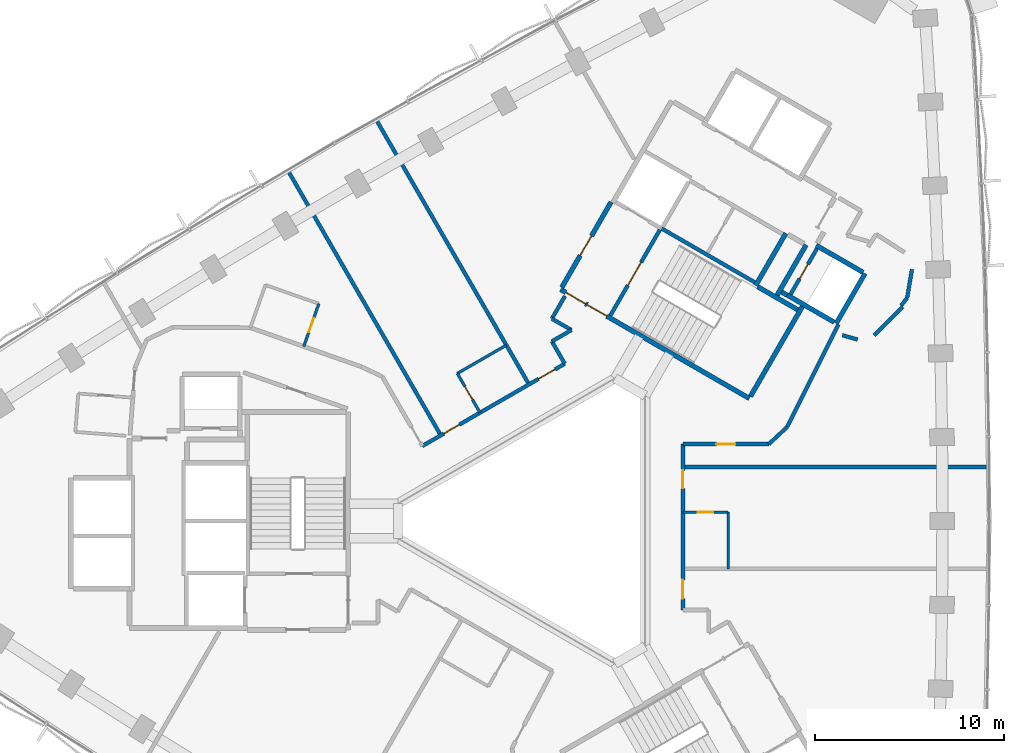
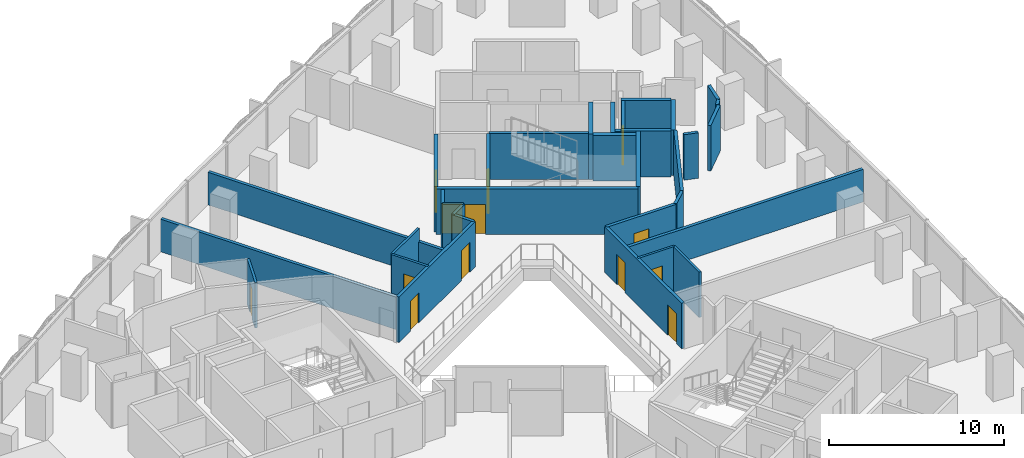
# One storey, part 10 of 15: 34 walls, 13 doors, 13 openings.
"""IFC4 building model written with IfcOpenShell, lengths in metres."""

from ifc_helpers import new_model, si_unit, direction, frame, frame_2d, origin, place, context, subcontext, project, spatial, rectangle, extrude, material, layer, layer_set, type_object, element, fill, save


model = new_model("IFC4")

# Units and contexts
model_context = context("Model", 3, precision=1e-05, world=origin(), true_north=direction((0.0, 1.0)))
body_context = subcontext(model_context, "Body", "Model", "MODEL_VIEW")
ifc_project = project(units=[si_unit("LENGTHUNIT", "METRE"), si_unit("AREAUNIT", "SQUARE_METRE"), si_unit("VOLUMEUNIT", "CUBIC_METRE"), si_unit("PLANEANGLEUNIT", "RADIAN"), si_unit("MASSUNIT", "GRAM", prefix="KILO")], contexts=[model_context])

# Site, building, storey
site_placement = place(None, origin())
site = spatial("IfcSite", under=ifc_project, at=site_placement, CompositionType="ELEMENT")
building_placement = place(site_placement, origin())
building = spatial("IfcBuilding", under=site, at=building_placement, Name="Tamra Quay Hotel Tower", CompositionType="ELEMENT")
storey_placement = place(building_placement, frame((0.0, 0.0, 97.39990234375)))
storey = spatial("IfcBuildingStorey", under=building, at=storey_placement, Name="L23", CompositionType="ELEMENT", Elevation=97.39990234375)

# Wall
ifc_material_1 = material(Name="Concrete M70", Category="concrete")
ifc_layer_1 = layer(ifc_material_1, 0.199951171875)
ifc_layer_set_1 = layer_set([ifc_layer_1], Name="Concrete M70 core wall 200")
wall_type_1 = type_object("IfcWallType", Name="Concrete M70 core wall 200", PredefinedType="SHEAR", material=ifc_layer_set_1)
wall_1_placement = place(storey_placement, frame((5.774658203125, 15.501953125, 0.0), z_axis=(0.0, 0.0, 1.0), x_axis=(0.866020080793, -0.500009219579, 0.0)))
element("IfcWall", 1, at=wall_1_placement, inside=storey, type_object=wall_type_1, Name="CW2", PredefinedType="SHEAR", context=body_context, shape_type="SweptSolid", body=[
    extrude(rectangle(XDim=5.69921875, YDim=0.199951171875, at=frame_2d((2.849609375, 0.0))), origin(), (0.0, 0.0, 1.0), 3.175048828125),
])

# Wall, opening, door
wall_2_placement = place(storey_placement, frame((3.056640625, 10.89453125, 0.0), z_axis=(0.0, 0.0, 1.0), x_axis=(0.499989418164, 0.866031513124, 0.0)))
wall_2 = element("IfcWall", 2, at=wall_2_placement, inside=storey, type_object=wall_type_1, Name="CW2", PredefinedType="SHEAR", context=body_context, shape_type="SweptSolid", body=[
    extrude(rectangle(XDim=5.2509765625, YDim=0.199951171875, at=frame_2d((2.62548828125, 0.0))), origin(), (0.0, 0.0, 1.0), 3.175048828125),
])
opening_1_placement = place(wall_2_placement, frame((1.84912109375, 0.0, 0.0)))
opening_1 = element("IfcOpeningElement", 3, at=opening_1_placement, cuts=wall_2, Name="Opening FD2", PredefinedType="OPENING", context=body_context, shape_type="SweptSolid", body=[
    extrude(rectangle(XDim=1.39990234375, YDim=2.10009765625, at=frame_2d((0.699951171875, 1.050048828125))), frame((0.0, 0.10986328125, 0.0), z_axis=(0.0, -1.0, 0.0), x_axis=(1.0, 0.0, 0.0)), (0.0, 0.0, 1.0), 0.219970703125),
])
ifc_material_2 = material(Name="Core door FD2 1400x2100 RH")
door_type_1 = type_object("IfcDoorType", Name="Core door FD2 1400x2100 RH", OperationType="NOTDEFINED", PredefinedType="DOOR", material=ifc_material_2)
door_1_placement = place(opening_1_placement, origin())
door_1 = element("IfcDoor", 4, at=door_1_placement, inside=storey, type_object=door_type_1, Name="FD2", OperationType="SINGLE_SWING_RIGHT", OverallHeight=2.10009765625, OverallWidth=1.39990234375, PredefinedType="DOOR", context=body_context, shape_type="SweptSolid", body=[
    extrude(rectangle(XDim=1.39990234375, YDim=2.10009765625, at=frame_2d((0.699951171875, 1.050048828125))), frame((0.0, 0.02490234375, 0.0), z_axis=(0.0, -1.0, 0.0), x_axis=(1.0, 0.0, 0.0)), (0.0, 0.0, 1.0), 0.050048828125),
])
fill(opening_1, door_1)

wall_3_placement = place(storey_placement, frame((14.0078125, 14.442138671875, 0.0), z_axis=(0.0, 0.0, 1.0), x_axis=(-0.499986818241, -0.866033014143, 0.0)))
wall_3 = element("IfcWall", 5, at=wall_3_placement, inside=storey, type_object=wall_type_1, Name="CW2", PredefinedType="SHEAR", context=body_context, shape_type="SweptSolid", body=[
    extrude(rectangle(XDim=2.7978515625, YDim=0.199951171875, at=frame_2d((1.39892578125, 0.0))), origin(), (0.0, 0.0, 1.0), 3.175048828125),
])
opening_2_placement = place(wall_3_placement, frame((0.948974609375, 0.0, 0.0)))
opening_2 = element("IfcOpeningElement", 6, at=opening_2_placement, cuts=wall_3, Name="Opening D1", PredefinedType="OPENING", context=body_context, shape_type="SweptSolid", body=[
    extrude(rectangle(XDim=0.89990234375, YDim=2.10009765625, at=frame_2d((0.449951171875, 1.050048828125))), frame((0.0, 0.10986328125, 0.0), z_axis=(0.0, -1.0, 0.0), x_axis=(1.0, 0.0, 0.0)), (0.0, 0.0, 1.0), 0.219970703125),
])
ifc_material_3 = material(Name="Core door D1 900x2100 RH")
door_type_2 = type_object("IfcDoorType", Name="Core door D1 900x2100 RH", OperationType="NOTDEFINED", PredefinedType="DOOR", material=ifc_material_3)
door_2_placement = place(opening_2_placement, origin())
door_2 = element("IfcDoor", 7, at=door_2_placement, inside=storey, type_object=door_type_2, Name="D1", OperationType="SINGLE_SWING_RIGHT", OverallHeight=2.10009765625, OverallWidth=0.89990234375, PredefinedType="DOOR", context=body_context, shape_type="SweptSolid", body=[
    extrude(rectangle(XDim=0.89990234375, YDim=2.10009765625, at=frame_2d((0.449951171875, 1.050048828125))), frame((0.0, 0.02490234375, 0.0), z_axis=(0.0, -1.0, 0.0), x_axis=(1.0, 0.0, 0.0)), (0.0, 0.0, 1.0), 0.050048828125),
])
fill(opening_2, door_2)

# Wall, openings, doors
ifc_layer_2 = layer(ifc_material_1, 0.25)
ifc_layer_set_2 = layer_set([ifc_layer_2], Name="Concrete M70 core wall 250")
wall_type_2 = type_object("IfcWallType", Name="Concrete M70 core wall 250", PredefinedType="SHEAR", material=ifc_layer_set_2)
wall_4_placement = place(storey_placement, frame((10.419921875, 6.497802734375, 0.0), z_axis=(0.0, 0.0, 1.0), x_axis=(-0.866021906294, 0.500006057782, 0.0)))
wall_4 = element("IfcWall", 8, at=wall_4_placement, inside=storey, type_object=wall_type_2, Name="CW1", PredefinedType="SHEAR", context=body_context, shape_type="SweptSolid", body=[
    extrude(rectangle(XDim=11.550048828125, YDim=0.25, at=frame_2d((5.77490234375, 0.0))), origin(), (0.0, 0.0, 1.0), 3.175048828125),
])
opening_3_placement = place(wall_4_placement, frame((10.02490234375, 0.0, 0.0)))
opening_3 = element("IfcOpeningElement", 9, at=opening_3_placement, cuts=wall_4, Name="Opening FD1", PredefinedType="OPENING", context=body_context, shape_type="SweptSolid", body=[
    extrude(rectangle(XDim=1.199951171875, YDim=2.10009765625, at=frame_2d((0.60009765625, 1.050048828125))), frame((0.0, 0.135009765625, 0.0), z_axis=(0.0, -1.0, 0.0), x_axis=(1.0, 0.0, 0.0)), (0.0, 0.0, 1.0), 0.27001953125),
])
opening_4_placement = place(wall_4_placement, frame((8.724853515625, 0.0, 0.0)))
opening_4 = element("IfcOpeningElement", 10, at=opening_4_placement, cuts=wall_4, Name="Opening FD1", PredefinedType="OPENING", context=body_context, shape_type="SweptSolid", body=[
    extrude(rectangle(XDim=1.199951171875, YDim=2.10009765625, at=frame_2d((0.60009765625, 1.050048828125))), frame((0.0, 0.135009765625, 0.0), z_axis=(0.0, -1.0, 0.0), x_axis=(1.0, 0.0, 0.0)), (0.0, 0.0, 1.0), 0.27001953125),
])
ifc_material_4 = material(Name="Core door FD1 1200x2100 LH")
door_type_3 = type_object("IfcDoorType", Name="Core door FD1 1200x2100 LH", OperationType="NOTDEFINED", PredefinedType="DOOR", material=ifc_material_4)
door_3_placement = place(opening_3_placement, origin())
door_3 = element("IfcDoor", 11, at=door_3_placement, inside=storey, type_object=door_type_3, Name="FD1", OperationType="SINGLE_SWING_LEFT", OverallHeight=2.10009765625, OverallWidth=1.199951171875, PredefinedType="DOOR", context=body_context, shape_type="SweptSolid", body=[
    extrude(rectangle(XDim=1.199951171875, YDim=2.10009765625, at=frame_2d((0.60009765625, 1.050048828125))), frame((0.0, 0.02490234375, 0.0), z_axis=(0.0, -1.0, 0.0), x_axis=(1.0, 0.0, 0.0)), (0.0, 0.0, 1.0), 0.050048828125),
])
fill(opening_3, door_3)
ifc_material_5 = material(Name="Core door FD1 1200x2100 RH")
door_type_4 = type_object("IfcDoorType", Name="Core door FD1 1200x2100 RH", OperationType="NOTDEFINED", PredefinedType="DOOR", material=ifc_material_5)
door_4_placement = place(opening_4_placement, origin())
door_4 = element("IfcDoor", 12, at=door_4_placement, inside=storey, type_object=door_type_4, Name="FD1", OperationType="SINGLE_SWING_RIGHT", OverallHeight=2.10009765625, OverallWidth=1.199951171875, PredefinedType="DOOR", context=body_context, shape_type="SweptSolid", body=[
    extrude(rectangle(XDim=1.199951171875, YDim=2.10009765625, at=frame_2d((0.60009765625, 1.050048828125))), frame((0.0, 0.02490234375, 0.0), z_axis=(0.0, -1.0, 0.0), x_axis=(1.0, 0.0, 0.0)), (0.0, 0.0, 1.0), 0.050048828125),
])
fill(opening_4, door_4)

# Wall, opening, door
wall_5_placement = place(storey_placement, frame((0.47998046875, 12.38134765625, 0.0), z_axis=(0.0, 0.0, 1.0), x_axis=(0.49999885962, 0.866026062182, 0.0)))
wall_5 = element("IfcWall", 13, at=wall_5_placement, inside=storey, type_object=wall_type_2, Name="CW1", PredefinedType="SHEAR", context=body_context, shape_type="SweptSolid", body=[
    extrude(rectangle(XDim=5.224609375, YDim=0.25, at=frame_2d((2.6123046875, 0.0))), origin(), (0.0, 0.0, 1.0), 3.175048828125),
])
opening_5_placement = place(wall_5_placement, frame((1.94970703125, 0.0, 0.0)))
opening_5 = element("IfcOpeningElement", 14, at=opening_5_placement, cuts=wall_5, Name="Opening D2", PredefinedType="OPENING", context=body_context, shape_type="SweptSolid", body=[
    extrude(rectangle(XDim=1.199951171875, YDim=2.10009765625, at=frame_2d((0.60009765625, 1.050048828125))), frame((0.0, 0.135009765625, 0.0), z_axis=(0.0, -1.0, 0.0), x_axis=(1.0, 0.0, 0.0)), (0.0, 0.0, 1.0), 0.27001953125),
])
ifc_material_6 = material(Name="Core door D2 1200x2100 LH")
door_type_5 = type_object("IfcDoorType", Name="Core door D2 1200x2100 LH", OperationType="NOTDEFINED", PredefinedType="DOOR", material=ifc_material_6)
door_5_placement = place(opening_5_placement, origin())
door_5 = element("IfcDoor", 15, at=door_5_placement, inside=storey, type_object=door_type_5, Name="D2", OperationType="SINGLE_SWING_LEFT", OverallHeight=2.10009765625, OverallWidth=1.199951171875, PredefinedType="DOOR", context=body_context, shape_type="SweptSolid", body=[
    extrude(rectangle(XDim=1.199951171875, YDim=2.10009765625, at=frame_2d((0.60009765625, 1.050048828125))), frame((0.0, 0.02490234375, 0.0), z_axis=(0.0, -1.0, 0.0), x_axis=(1.0, 0.0, 0.0)), (0.0, 0.0, 1.0), 0.050048828125),
])
fill(opening_5, door_5)

# Walls
wall_6_placement = place(storey_placement, frame((13.237548828125, 11.3779296875, 0.0), z_axis=(0.0, 0.0, 1.0), x_axis=(-0.500008851346, -0.866020293397, 0.0)))
element("IfcWall", 16, at=wall_6_placement, inside=storey, type_object=wall_type_2, Name="CW1", PredefinedType="SHEAR", context=body_context, shape_type="SweptSolid", body=[
    extrude(rectangle(XDim=5.509765625, YDim=0.25, at=frame_2d((2.7548828125, 0.0))), origin(), (0.0, 0.0, 1.0), 3.175048828125),
])
wall_7_placement = place(storey_placement, frame((12.356689453125, 15.25244140625, 0.0), z_axis=(0.0, 0.0, 1.0), x_axis=(-0.500028443584, -0.866008981251, 0.0)))
element("IfcWall", 17, at=wall_7_placement, inside=storey, type_object=wall_type_2, Name="CW1", PredefinedType="SHEAR", context=body_context, shape_type="SweptSolid", body=[
    extrude(rectangle(XDim=3.199951171875, YDim=0.25, at=frame_2d((1.60009765625, 0.0))), origin(), (0.0, 0.0, 1.0), 3.175048828125),
])
wall_8_placement = place(storey_placement, frame((16.552001953125, 13.118896484375, 0.0), z_axis=(0.0, 0.0, 1.0), x_axis=(-0.499978833458, -0.866037623948, 0.0)))
element("IfcWall", 18, at=wall_8_placement, inside=storey, type_object=wall_type_2, Name="CW1", PredefinedType="SHEAR", context=body_context, shape_type="SweptSolid", body=[
    extrude(rectangle(XDim=3.050048828125, YDim=0.25, at=frame_2d((1.52490234375, 0.0))), origin(), (0.0, 0.0, 1.0), 3.175048828125),
])
wall_9_placement = place(storey_placement, frame((14.91845703125, 10.540283203125, 0.0), z_axis=(0.0, 0.0, 1.0), x_axis=(-0.866063538972, 0.499933942099, 0.0)))
element("IfcWall", 19, at=wall_9_placement, inside=storey, type_object=wall_type_2, Name="CW1", PredefinedType="SHEAR", context=body_context, shape_type="SweptSolid", body=[
    extrude(rectangle(XDim=2.86474609375, YDim=0.25, at=frame_2d((1.432373046875, 0.0))), origin(), (0.0, 0.0, 1.0), 3.175048828125),
])
wall_10_placement = place(storey_placement, frame((13.962646484375, 14.61376953125, 0.0), z_axis=(0.0, 0.0, 1.0), x_axis=(0.866042235819, -0.499970844928, 0.0)))
element("IfcWall", 20, at=wall_10_placement, inside=storey, type_object=wall_type_2, Name="CW1", PredefinedType="SHEAR", context=body_context, shape_type="SweptSolid", body=[
    extrude(rectangle(XDim=2.864501953125, YDim=0.25, at=frame_2d((1.43212890625, 0.0))), origin(), (0.0, 0.0, 1.0), 3.175048828125),
])
wall_11_placement = place(storey_placement, frame((11.887939453125, 11.960693359375, 0.0), z_axis=(0.0, 0.0, 1.0), x_axis=(0.500003324108, 0.866023484601, 0.0)))
element("IfcWall", 21, at=wall_11_placement, inside=storey, type_object=wall_type_2, Name="CW1", PredefinedType="SHEAR", context=body_context, shape_type="SweptSolid", body=[
    extrude(rectangle(XDim=3.0849609375, YDim=0.25, at=frame_2d((1.54248046875, 0.0))), origin(), (0.0, 0.0, 1.0), 3.175048828125),
])
wall_12_placement = place(storey_placement, frame((10.865234375, 12.41845703125, 0.0), z_axis=(0.0, 0.0, 1.0), x_axis=(0.866026229868, -0.499998569178, 0.0)))
element("IfcWall", 22, at=wall_12_placement, inside=storey, type_object=wall_type_2, Name="CW1", PredefinedType="SHEAR", context=body_context, shape_type="SweptSolid", body=[
    extrude(rectangle(XDim=2.44921875, YDim=0.25, at=frame_2d((1.224609375, 0.0))), origin(), (0.0, 0.0, 1.0), 3.175048828125),
])
wall_13_placement = place(storey_placement, frame((12.4326171875, 11.9638671875, 0.0), z_axis=(0.0, 0.0, 1.0), x_axis=(-0.866055875208, 0.499947218231, 0.0)))
element("IfcWall", 23, at=wall_13_placement, inside=storey, type_object=wall_type_2, Name="CW1", PredefinedType="SHEAR", context=body_context, shape_type="SweptSolid", body=[
    extrude(rectangle(XDim=0.3447265625, YDim=0.25, at=frame_2d((0.17236328125, 0.0))), origin(), (0.0, 0.0, 1.0), 3.175048828125),
])

# Wall, openings, doors
ifc_material_7 = material(Name="Partition corridor wall")
ifc_layer_3 = layer(ifc_material_7, 0.199951171875)
ifc_layer_set_3 = layer_set([ifc_layer_3], Name="Partition corridor wall")
wall_type_3 = type_object("IfcWallType", Name="Partition corridor wall", PredefinedType="PARTITIONING", material=ifc_layer_set_3)
wall_14_placement = place(storey_placement, frame((-6.909912109375, 3.975341796875, 0.0), z_axis=(0.0, 0.0, 1.0), x_axis=(0.865912245405, 0.500195944863, 0.0)))
wall_14 = element("IfcWall", 24, at=wall_14_placement, inside=storey, type_object=wall_type_3, Name="W-C", PredefinedType="PARTITIONING", context=body_context, shape_type="SweptSolid", body=[
    extrude(rectangle(XDim=8.7177734375, YDim=0.199951171875, at=frame_2d((4.35888671875, 0.0))), origin(), (0.0, 0.0, 1.0), 3.175048828125),
])
opening_6_placement = place(wall_14_placement, frame((7.117431640625, 0.0, 0.0)))
opening_6 = element("IfcOpeningElement", 25, at=opening_6_placement, cuts=wall_14, Name="Opening L23-D005", PredefinedType="OPENING", context=body_context, shape_type="SweptSolid", body=[
    extrude(rectangle(XDim=1.0, YDim=2.10009765625, at=frame_2d((0.5, 1.050048828125))), frame((0.0, 0.10986328125, 0.0), z_axis=(0.0, -1.0, 0.0), x_axis=(1.0, 0.0, 0.0)), (0.0, 0.0, 1.0), 0.219970703125),
])
opening_7_placement = place(wall_14_placement, frame((1.31689453125, 0.0, 0.0)))
opening_7 = element("IfcOpeningElement", 26, at=opening_7_placement, cuts=wall_14, Name="Opening L23-D006", PredefinedType="OPENING", context=body_context, shape_type="SweptSolid", body=[
    extrude(rectangle(XDim=0.949951171875, YDim=2.10009765625, at=frame_2d((0.47509765625, 1.050048828125))), frame((0.0, 0.10986328125, 0.0), z_axis=(0.0, -1.0, 0.0), x_axis=(1.0, 0.0, 0.0)), (0.0, 0.0, 1.0), 0.219970703125),
])
ifc_material_8 = material(Name="Door guest room 1000x2100")
door_type_6 = type_object("IfcDoorType", Name="Door guest room 1000x2100", OperationType="NOTDEFINED", PredefinedType="DOOR", material=ifc_material_8)
door_6_placement = place(opening_6_placement, origin())
door_6 = element("IfcDoor", 27, at=door_6_placement, inside=storey, type_object=door_type_6, Name="L23-D005", OperationType="SINGLE_SWING_LEFT", OverallHeight=2.10009765625, OverallWidth=1.0, PredefinedType="DOOR", context=body_context, shape_type="SweptSolid", body=[
    extrude(rectangle(XDim=1.0, YDim=2.10009765625, at=frame_2d((0.5, 1.050048828125))), frame((0.0, 0.02490234375, 0.0), z_axis=(0.0, -1.0, 0.0), x_axis=(1.0, 0.0, 0.0)), (0.0, 0.0, 1.0), 0.050048828125),
])
fill(opening_6, door_6)
ifc_material_9 = material(Name="Door guest room 950x2100")
door_type_7 = type_object("IfcDoorType", Name="Door guest room 950x2100", OperationType="NOTDEFINED", PredefinedType="DOOR", material=ifc_material_9)
door_7_placement = place(opening_7_placement, origin())
door_7 = element("IfcDoor", 28, at=door_7_placement, inside=storey, type_object=door_type_7, Name="L23-D006", OperationType="SINGLE_SWING_LEFT", OverallHeight=2.10009765625, OverallWidth=0.949951171875, PredefinedType="DOOR", context=body_context, shape_type="SweptSolid", body=[
    extrude(rectangle(XDim=0.949951171875, YDim=2.10009765625, at=frame_2d((0.47509765625, 1.050048828125))), frame((0.0, 0.02490234375, 0.0), z_axis=(0.0, -1.0, 0.0), x_axis=(1.0, 0.0, 0.0)), (0.0, 0.0, 1.0), 0.050048828125),
])
fill(opening_7, door_7)

# Walls
wall_15_placement = place(storey_placement, frame((-0.044921875, 9.52099609375, 0.0), z_axis=(0.0, 0.0, 1.0), x_axis=(0.499804837697, -0.866138051476, 0.0)))
element("IfcWall", 29, at=wall_15_placement, inside=storey, type_object=wall_type_3, Name="W-C", PredefinedType="PARTITIONING", context=body_context, shape_type="SweptSolid", body=[
    extrude(rectangle(XDim=1.3681640625, YDim=0.199951171875, at=frame_2d((0.68408203125, 0.0))), origin(), (0.0, 0.0, 1.0), 3.175048828125),
])
wall_16_placement = place(storey_placement, frame((-0.044921875, 9.52197265625, 0.0), z_axis=(0.0, 0.0, 1.0), x_axis=(0.86625675314, 0.499599076899, 0.0)))
element("IfcWall", 30, at=wall_16_placement, inside=storey, type_object=wall_type_3, Name="W-C", PredefinedType="PARTITIONING", context=body_context, shape_type="SweptSolid", body=[
    extrude(rectangle(XDim=1.19921875, YDim=0.199951171875, at=frame_2d((0.599609375, 0.0))), origin(), (0.0, 0.0, 1.0), 3.175048828125),
])
wall_17_placement = place(storey_placement, frame((-0.044921875, 10.721923828125, 0.0), z_axis=(0.0, 0.0, 1.0), x_axis=(0.500107785535, 0.865963164833, 0.0)))
element("IfcWall", 31, at=wall_17_placement, inside=storey, type_object=wall_type_3, Name="W-C", PredefinedType="PARTITIONING", context=body_context, shape_type="SweptSolid", body=[
    extrude(rectangle(XDim=1.389404296875, YDim=0.199951171875, at=frame_2d((0.69482421875, 0.0))), origin(), (0.0, 0.0, 1.0), 3.175048828125),
])
wall_18_placement = place(storey_placement, frame((-0.044921875, 10.720947265625, 0.0), z_axis=(0.0, 0.0, 1.0), x_axis=(0.865992388649, -0.500057179532, 0.0)))
element("IfcWall", 32, at=wall_18_placement, inside=storey, type_object=wall_type_3, Name="W-C", PredefinedType="PARTITIONING", context=body_context, shape_type="SweptSolid", body=[
    extrude(rectangle(XDim=1.199462890625, YDim=0.199951171875, at=frame_2d((0.599609375, 0.0))), origin(), (0.0, 0.0, 1.0), 3.175048828125),
])

# Wall, openings, doors
wall_19_placement = place(storey_placement, frame((6.89990234375, -4.720947265625, 0.0), z_axis=(0.0, 0.0, 1.0), x_axis=(0.0, 1.0, 0.0)))
wall_19 = element("IfcWall", 33, at=wall_19_placement, inside=storey, type_object=wall_type_3, Name="W-C", PredefinedType="PARTITIONING", context=body_context, shape_type="SweptSolid", body=[
    extrude(rectangle(XDim=8.798828125, YDim=0.199951171875, at=frame_2d((4.3994140625, 0.0))), origin(), (0.0, 0.0, 1.0), 3.175048828125),
])
opening_8_placement = place(wall_19_placement, frame((0.6005859375, 0.0, 0.0)))
opening_8 = element("IfcOpeningElement", 34, at=opening_8_placement, cuts=wall_19, Name="Opening L23-D001", PredefinedType="OPENING", context=body_context, shape_type="SweptSolid", body=[
    extrude(rectangle(XDim=1.0, YDim=2.10009765625, at=frame_2d((0.5, 1.050048828125))), frame((0.0, 0.10986328125, 0.0), z_axis=(0.0, -1.0, 0.0), x_axis=(1.0, 0.0, 0.0)), (0.0, 0.0, 1.0), 0.219970703125),
])
opening_9_placement = place(wall_19_placement, frame((6.450927734375, 0.0, 0.0)))
opening_9 = element("IfcOpeningElement", 35, at=opening_9_placement, cuts=wall_19, Name="Opening L23-D002", PredefinedType="OPENING", context=body_context, shape_type="SweptSolid", body=[
    extrude(rectangle(XDim=0.949951171875, YDim=2.10009765625, at=frame_2d((0.47509765625, 1.050048828125))), frame((0.0, 0.10986328125, 0.0), z_axis=(0.0, -1.0, 0.0), x_axis=(1.0, 0.0, 0.0)), (0.0, 0.0, 1.0), 0.219970703125),
])
door_8_placement = place(opening_8_placement, frame((1.0, 0.0, 0.0), z_axis=(0.0, 0.0, 1.0), x_axis=(-1.0, 0.0, 0.0)))
door_8 = element("IfcDoor", 36, at=door_8_placement, inside=storey, type_object=door_type_6, Name="L23-D001", OperationType="SINGLE_SWING_LEFT", OverallHeight=2.10009765625, OverallWidth=1.0, PredefinedType="DOOR", context=body_context, shape_type="SweptSolid", body=[
    extrude(rectangle(XDim=1.0, YDim=2.10009765625, at=frame_2d((0.5, 1.050048828125))), frame((0.0, 0.02490234375, 0.0), z_axis=(0.0, -1.0, 0.0), x_axis=(1.0, 0.0, 0.0)), (0.0, 0.0, 1.0), 0.050048828125),
])
fill(opening_8, door_8)
door_9_placement = place(opening_9_placement, frame((0.949951171875, 0.0, 0.0), z_axis=(0.0, 0.0, 1.0), x_axis=(-1.0, 0.0, 0.0)))
door_9 = element("IfcDoor", 37, at=door_9_placement, inside=storey, type_object=door_type_7, Name="L23-D002", OperationType="SINGLE_SWING_LEFT", OverallHeight=2.10009765625, OverallWidth=0.949951171875, PredefinedType="DOOR", context=body_context, shape_type="SweptSolid", body=[
    extrude(rectangle(XDim=0.949951171875, YDim=2.10009765625, at=frame_2d((0.47509765625, 1.050048828125))), frame((0.0, 0.02490234375, 0.0), z_axis=(0.0, -1.0, 0.0), x_axis=(1.0, 0.0, 0.0)), (0.0, 0.0, 1.0), 0.050048828125),
])
fill(opening_9, door_9)

# Wall, opening, door
wall_20_placement = place(storey_placement, frame((6.89990234375, 4.077880859375, 0.0), z_axis=(0.0, 0.0, 1.0), x_axis=(1.0, 0.0, 0.0)))
wall_20 = element("IfcWall", 38, at=wall_20_placement, inside=storey, type_object=wall_type_3, Name="W-C", PredefinedType="PARTITIONING", context=body_context, shape_type="SweptSolid", body=[
    extrude(rectangle(XDim=4.55810546875, YDim=0.199951171875, at=frame_2d((2.279052734375, 0.0))), origin(), (0.0, 0.0, 1.0), 3.175048828125),
])
opening_10_placement = place(wall_20_placement, frame((1.779052734375, 0.0, 0.0)))
opening_10 = element("IfcOpeningElement", 39, at=opening_10_placement, cuts=wall_20, Name="Opening L23-D004", PredefinedType="OPENING", context=body_context, shape_type="SweptSolid", body=[
    extrude(rectangle(XDim=1.0, YDim=2.10009765625, at=frame_2d((0.5, 1.050048828125))), frame((0.0, 0.10986328125, 0.0), z_axis=(0.0, -1.0, 0.0), x_axis=(1.0, 0.0, 0.0)), (0.0, 0.0, 1.0), 0.219970703125),
])
door_10_placement = place(opening_10_placement, origin())
door_10 = element("IfcDoor", 40, at=door_10_placement, inside=storey, type_object=door_type_6, Name="L23-D004", OperationType="SINGLE_SWING_LEFT", OverallHeight=2.10009765625, OverallWidth=1.0, PredefinedType="DOOR", context=body_context, shape_type="SweptSolid", body=[
    extrude(rectangle(XDim=1.0, YDim=2.10009765625, at=frame_2d((0.5, 1.050048828125))), frame((0.0, 0.02490234375, 0.0), z_axis=(0.0, -1.0, 0.0), x_axis=(1.0, 0.0, 0.0)), (0.0, 0.0, 1.0), 0.050048828125),
])
fill(opening_10, door_10)

# Walls
wall_21_placement = place(storey_placement, frame((11.4580078125, 4.077880859375, 0.0), z_axis=(0.0, 0.0, 1.0), x_axis=(0.729936032318, 0.683515463412, 0.0)))
element("IfcWall", 41, at=wall_21_placement, inside=storey, type_object=wall_type_3, Name="W-C", PredefinedType="PARTITIONING", context=body_context, shape_type="SweptSolid", body=[
    extrude(rectangle(XDim=1.3359375, YDim=0.199951171875, at=frame_2d((0.66796875, 0.0))), origin(), (0.0, 0.0, 1.0), 3.175048828125),
])
wall_22_placement = place(storey_placement, frame((12.43310546875, 4.991943359375, 0.0), z_axis=(0.0, 0.0, 1.0), x_axis=(0.446086961868, 0.894989621421, 0.0)))
element("IfcWall", 42, at=wall_22_placement, inside=storey, type_object=wall_type_3, Name="W-C", PredefinedType="PARTITIONING", context=body_context, shape_type="SweptSolid", body=[
    extrude(rectangle(XDim=6.069580078125, YDim=0.199951171875, at=frame_2d((3.03466796875, 0.0))), origin(), (0.0, 0.0, 1.0), 3.175048828125),
])
wall_23_placement = place(storey_placement, frame((15.35009765625, 9.846923828125, 0.0), z_axis=(0.0, 0.0, 1.0), x_axis=(0.961699438983, -0.274106163849, 0.0)))
element("IfcWall", 43, at=wall_23_placement, inside=storey, type_object=wall_type_3, Name="W-C", PredefinedType="PARTITIONING", context=body_context, shape_type="SweptSolid", body=[
    extrude(rectangle(XDim=0.839111328125, YDim=0.199951171875, at=frame_2d((0.41943359375, 0.0))), origin(), (0.0, 0.0, 1.0), 3.175048828125),
])
wall_24_placement = place(storey_placement, frame((17.041015625, 9.845947265625, 0.0), z_axis=(0.0, 0.0, 1.0), x_axis=(0.70687649077, 0.707336996627, 0.0)))
element("IfcWall", 44, at=wall_24_placement, inside=storey, type_object=wall_type_3, Name="W-C", PredefinedType="PARTITIONING", context=body_context, shape_type="SweptSolid", body=[
    extrude(rectangle(XDim=2.12060546875, YDim=0.199951171875, at=frame_2d((1.060302734375, 0.0))), origin(), (0.0, 0.0, 1.0), 3.175048828125),
])
wall_25_placement = place(storey_placement, frame((18.791015625, 11.833984375, 0.0), z_axis=(0.0, 0.0, 1.0), x_axis=(0.164294914443, 0.986411263667, 0.0)))
element("IfcWall", 45, at=wall_25_placement, inside=storey, type_object=wall_type_3, Name="W-C", PredefinedType="PARTITIONING", context=body_context, shape_type="SweptSolid", body=[
    extrude(rectangle(XDim=1.521728515625, YDim=0.199951171875, at=frame_2d((0.7607421875, 0.0))), origin(), (0.0, 0.0, 1.0), 3.175048828125),
])
wall_26_placement = place(storey_placement, frame((18.791015625, 11.833984375, 0.0), z_axis=(0.0, 0.0, 1.0), x_axis=(-0.610695554896, -0.791865480514, 0.0)))
element("IfcWall", 46, at=wall_26_placement, inside=storey, type_object=wall_type_3, Name="W-C", PredefinedType="PARTITIONING", context=body_context, shape_type="SweptSolid", body=[
    extrude(rectangle(XDim=0.52685546875, YDim=0.199951171875, at=frame_2d((0.263427734375, 0.0))), origin(), (0.0, 0.0, 1.0), 3.175048828125),
])

# Wall, opening, door
ifc_material_10 = material(Name="Partition en-suite wall")
ifc_layer_4 = layer(ifc_material_10, 0.14990234375)
ifc_layer_set_4 = layer_set([ifc_layer_4], Name="Partition en-suite wall")
wall_type_4 = type_object("IfcWallType", Name="Partition en-suite wall", PredefinedType="PARTITIONING", material=ifc_layer_set_4)
wall_27_placement = place(storey_placement, frame((-13.196044921875, 9.2509765625, 0.0), z_axis=(0.0, 0.0, 1.0), x_axis=(0.332112373108, 0.943239827207, 0.0)))
wall_27 = element("IfcWall", 47, at=wall_27_placement, inside=storey, type_object=wall_type_4, Name="W-E", PredefinedType="PARTITIONING", context=body_context, shape_type="SweptSolid", body=[
    extrude(rectangle(XDim=2.400146484375, YDim=0.14990234375, at=frame_2d((1.2001953125, 0.0))), origin(), (0.0, 0.0, 1.0), 3.175048828125),
])
opening_11_placement = place(wall_27_placement, frame((0.800048828125, 0.0, 0.0)))
opening_11 = element("IfcOpeningElement", 48, at=opening_11_placement, cuts=wall_27, Name="Opening L23-D010", PredefinedType="OPENING", context=body_context, shape_type="SweptSolid", body=[
    extrude(rectangle(XDim=0.800048828125, YDim=2.10009765625, at=frame_2d((0.39990234375, 1.050048828125))), frame((0.0, 0.0849609375, 0.0), z_axis=(0.0, -1.0, 0.0), x_axis=(1.0, 0.0, 0.0)), (0.0, 0.0, 1.0), 0.169921875),
])
ifc_material_11 = material(Name="Door en-suite 800x2100")
door_type_8 = type_object("IfcDoorType", Name="Door en-suite 800x2100", OperationType="NOTDEFINED", PredefinedType="DOOR", material=ifc_material_11)
door_11_placement = place(opening_11_placement, origin())
door_11 = element("IfcDoor", 49, at=door_11_placement, inside=storey, type_object=door_type_8, Name="L23-D010", OperationType="SINGLE_SWING_LEFT", OverallHeight=2.10009765625, OverallWidth=0.800048828125, PredefinedType="DOOR", context=body_context, shape_type="SweptSolid", body=[
    extrude(rectangle(XDim=0.800048828125, YDim=2.10009765625, at=frame_2d((0.39990234375, 1.050048828125))), frame((0.0, 0.02490234375, 0.0), z_axis=(0.0, -1.0, 0.0), x_axis=(1.0, 0.0, 0.0)), (0.0, 0.0, 1.0), 0.050048828125),
])
fill(opening_11, door_11)

wall_28_placement = place(storey_placement, frame((-5.054931640625, 7.821044921875, 0.0), z_axis=(0.0, 0.0, 1.0), x_axis=(0.499869187296, -0.866100915363, 0.0)))
wall_28 = element("IfcWall", 50, at=wall_28_placement, inside=storey, type_object=wall_type_4, Name="W-E", PredefinedType="PARTITIONING", context=body_context, shape_type="SweptSolid", body=[
    extrude(rectangle(XDim=2.400634765625, YDim=0.14990234375, at=frame_2d((1.2001953125, 0.0))), origin(), (0.0, 0.0, 1.0), 3.175048828125),
])
opening_12_placement = place(wall_28_placement, frame((0.80029296875, 0.0, 0.0)))
opening_12 = element("IfcOpeningElement", 51, at=opening_12_placement, cuts=wall_28, Name="Opening L23-D007", PredefinedType="OPENING", context=body_context, shape_type="SweptSolid", body=[
    extrude(rectangle(XDim=0.800048828125, YDim=2.10009765625, at=frame_2d((0.39990234375, 1.050048828125))), frame((0.0, 0.0849609375, 0.0), z_axis=(0.0, -1.0, 0.0), x_axis=(1.0, 0.0, 0.0)), (0.0, 0.0, 1.0), 0.169921875),
])
door_12_placement = place(opening_12_placement, origin())
door_12 = element("IfcDoor", 52, at=door_12_placement, inside=storey, type_object=door_type_8, Name="L23-D007", OperationType="SINGLE_SWING_LEFT", OverallHeight=2.10009765625, OverallWidth=0.800048828125, PredefinedType="DOOR", context=body_context, shape_type="SweptSolid", body=[
    extrude(rectangle(XDim=0.800048828125, YDim=2.10009765625, at=frame_2d((0.39990234375, 1.050048828125))), frame((0.0, 0.02490234375, 0.0), z_axis=(0.0, -1.0, 0.0), x_axis=(1.0, 0.0, 0.0)), (0.0, 0.0, 1.0), 0.050048828125),
])
fill(opening_12, door_12)

# Wall
wall_29_placement = place(storey_placement, frame((-5.054931640625, 7.821044921875, 0.0), z_axis=(0.0, 0.0, 1.0), x_axis=(0.86615170604, 0.49978117424, 0.0)))
element("IfcWall", 53, at=wall_29_placement, inside=storey, type_object=wall_type_4, Name="W-E", PredefinedType="PARTITIONING", context=body_context, shape_type="SweptSolid", body=[
    extrude(rectangle(XDim=2.999267578125, YDim=0.14990234375, at=frame_2d((1.49951171875, 0.0))), origin(), (0.0, 0.0, 1.0), 3.175048828125),
])

# Wall, opening, door
wall_30_placement = place(storey_placement, frame((6.89990234375, 0.468017578125, 0.0), z_axis=(0.0, 0.0, 1.0), x_axis=(1.0, 0.0, 0.0)))
wall_30 = element("IfcWall", 54, at=wall_30_placement, inside=storey, type_object=wall_type_4, Name="W-E", PredefinedType="PARTITIONING", context=body_context, shape_type="SweptSolid", body=[
    extrude(rectangle(XDim=2.400146484375, YDim=0.14990234375, at=frame_2d((1.2001953125, 0.0))), origin(), (0.0, 0.0, 1.0), 3.175048828125),
])
opening_13_placement = place(wall_30_placement, frame((0.800048828125, 0.0, 0.0)))
opening_13 = element("IfcOpeningElement", 55, at=opening_13_placement, cuts=wall_30, Name="Opening L23-D003", PredefinedType="OPENING", context=body_context, shape_type="SweptSolid", body=[
    extrude(rectangle(XDim=0.800048828125, YDim=2.10009765625, at=frame_2d((0.39990234375, 1.050048828125))), frame((0.0, 0.0849609375, 0.0), z_axis=(0.0, -1.0, 0.0), x_axis=(1.0, 0.0, 0.0)), (0.0, 0.0, 1.0), 0.169921875),
])
door_13_placement = place(opening_13_placement, frame((0.800048828125, 0.0, 0.0), z_axis=(0.0, 0.0, 1.0), x_axis=(-1.0, 0.0, 0.0)))
door_13 = element("IfcDoor", 56, at=door_13_placement, inside=storey, type_object=door_type_8, Name="L23-D003", OperationType="SINGLE_SWING_LEFT", OverallHeight=2.10009765625, OverallWidth=0.800048828125, PredefinedType="DOOR", context=body_context, shape_type="SweptSolid", body=[
    extrude(rectangle(XDim=0.800048828125, YDim=2.10009765625, at=frame_2d((0.39990234375, 1.050048828125))), frame((0.0, 0.02490234375, 0.0), z_axis=(0.0, -1.0, 0.0), x_axis=(1.0, 0.0, 0.0)), (0.0, 0.0, 1.0), 0.050048828125),
])
fill(opening_13, door_13)

# Walls
wall_31_placement = place(storey_placement, frame((9.300048828125, -2.531982421875, 0.0), z_axis=(0.0, 0.0, 1.0), x_axis=(0.0, 1.0, 0.0)))
element("IfcWall", 57, at=wall_31_placement, inside=storey, type_object=wall_type_4, Name="W-E", PredefinedType="PARTITIONING", context=body_context, shape_type="SweptSolid", body=[
    extrude(rectangle(XDim=3.0, YDim=0.14990234375, at=frame_2d((1.5, 0.0))), origin(), (0.0, 0.0, 1.0), 3.175048828125),
])
ifc_material_12 = material(Name="Partition party wall")
ifc_layer_5 = layer(ifc_material_12, 0.199951171875)
ifc_layer_set_5 = layer_set([ifc_layer_5], Name="Partition party wall")
wall_type_5 = type_object("IfcWallType", Name="Partition party wall", PredefinedType="PARTITIONING", material=ifc_layer_set_5)
wall_32_placement = place(storey_placement, frame((-14.04541015625, 18.591552734375, 0.0), z_axis=(0.0, 0.0, 1.0), x_axis=(0.499991242065, -0.866030460122, 0.0)))
element("IfcWall", 58, at=wall_32_placement, inside=storey, type_object=wall_type_5, Name="W-P", PredefinedType="PARTITIONING", context=body_context, shape_type="SweptSolid", body=[
    extrude(rectangle(XDim=16.222900390625, YDim=0.199951171875, at=frame_2d((8.111328125, 0.0))), origin(), (0.0, 0.0, 1.0), 2.275146484375),
])
wall_33_placement = place(storey_placement, frame((-9.36962890625, 21.293212890625, 0.0), z_axis=(0.0, 0.0, 1.0), x_axis=(0.500012069024, -0.866018435618, 0.0)))
element("IfcWall", 59, at=wall_33_placement, inside=storey, type_object=wall_type_5, Name="W-P", PredefinedType="PARTITIONING", context=body_context, shape_type="SweptSolid", body=[
    extrude(rectangle(XDim=16.2236328125, YDim=0.199951171875, at=frame_2d((8.11181640625, 0.0))), origin(), (0.0, 0.0, 1.0), 2.275146484375),
])
wall_34_placement = place(storey_placement, frame((6.89990234375, 2.867919921875, 0.0), z_axis=(0.0, 0.0, 1.0), x_axis=(1.0, 0.0, 0.0)))
element("IfcWall", 60, at=wall_34_placement, inside=storey, type_object=wall_type_5, Name="W-P", PredefinedType="PARTITIONING", context=body_context, shape_type="SweptSolid", body=[
    extrude(rectangle(XDim=16.223388671875, YDim=0.199951171875, at=frame_2d((8.11181640625, 0.0))), origin(), (0.0, 0.0, 1.0), 2.275146484375),
])

save(model, "model.ifc")
